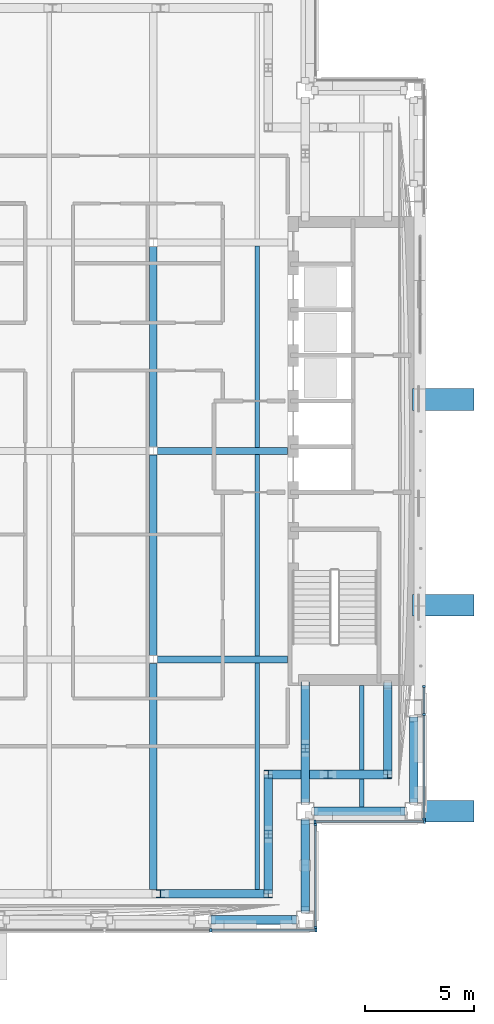
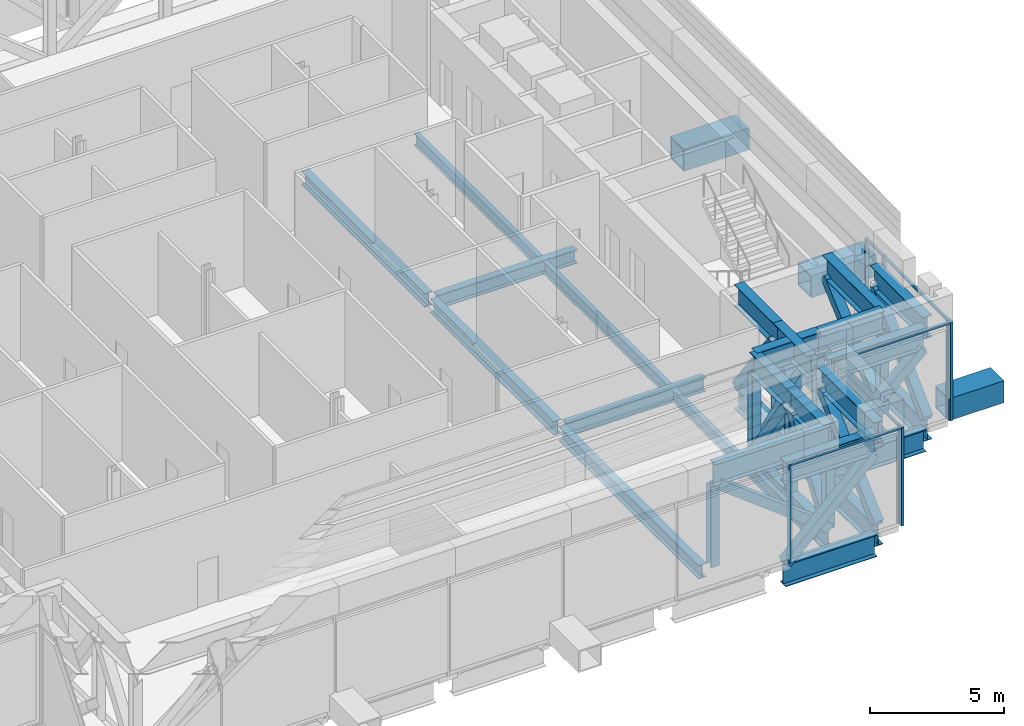
# One storey, part 6 of 29: 55 members, 13 beams, 4 elements without a shape of their own.
"""IFC4 building model written with IfcOpenShell, lengths in metres."""

import ifcopenshell
import ifcopenshell.guid

model = None  # the IFC model being written
_history = None  # IfcOwnerHistory: only IFC2X3 demands one
_inside = {}  # id of a spatial element -> (the spatial element, [elements in it])
_under = {}  # id of a project, library or spatial element -> (it, [spatial elements below it])
_declared = {}  # id of a project -> (the project, [libraries it declares])
_typed = {}  # id of a type object -> (the type object, [elements of that type])
_made_of = {}  # id of a material, layer set ... -> (it, [elements and type objects made of it])


def new_model(schema):
    """Start an empty IFC model of exactly this schema.

    Asked for "IFC4X3", IfcOpenShell would pick the latest addendum, in which some entities
    have other attributes; the version numbers below select the first issue.
    IFC2X3 requires an IfcOwnerHistory on every rooted entity: one is made here for all.
    """
    global model, _history
    if schema == "IFC4X3":
        model = ifcopenshell.file(schema_version=(4, 3, 0, 0))
    else:
        model = ifcopenshell.file(schema=schema)
    _inside.clear()
    _under.clear()
    _declared.clear()
    _typed.clear()
    _made_of.clear()
    _history = None
    if model.schema == "IFC2X3":
        org = make("IfcOrganization", Name="unknown")
        user = make(
            "IfcPersonAndOrganization",
            ThePerson=make("IfcPerson", FamilyName="unknown"),
            TheOrganization=org,
        )
        app = make(
            "IfcApplication",
            ApplicationDeveloper=org,
            Version="unknown",
            ApplicationFullName="unknown",
            ApplicationIdentifier="unknown",
        )
        _history = make(
            "IfcOwnerHistory",
            OwningUser=user,
            OwningApplication=app,
            ChangeAction="ADDED",
            CreationDate=0,
        )
    return model


def make(cls, **values):
    """One entity of the class cls with the attributes given. An attribute that is None is left unset."""
    return model.create_entity(
        cls, **{name: value for name, value in values.items() if value is not None}
    )


def rooted(cls, **values):
    """An entity with a GlobalId (a new one), such as an element, a storey or a relation."""
    return make(cls, GlobalId=ifcopenshell.guid.new(), OwnerHistory=_history, **values)


def si_unit(unit_type, name, prefix=None):
    """IfcSIUnit, for example si_unit("LENGTHUNIT", "METRE", prefix="MILLI")."""
    return make("IfcSIUnit", UnitType=unit_type, Prefix=prefix, Name=name)


def assignment(units):
    """IfcUnitAssignment: the units of a project."""
    return None if units is None else make("IfcUnitAssignment", Units=units)


def point(xyz):
    """IfcCartesianPoint."""
    return None if xyz is None else make("IfcCartesianPoint", Coordinates=xyz)


def direction(xyz):
    """IfcDirection."""
    return None if xyz is None else make("IfcDirection", DirectionRatios=xyz)


def frame(location, z_axis=None, x_axis=None):
    """IfcAxis2Placement3D, a coordinate frame: its origin and axes. An axis left out is left unset."""
    return make(
        "IfcAxis2Placement3D",
        Location=point(location),
        Axis=direction(z_axis),
        RefDirection=direction(x_axis),
    )


def frame_2d(location, x_axis=None):
    """IfcAxis2Placement2D, a coordinate frame in the plane: its origin and x axis."""
    return make(
        "IfcAxis2Placement2D", Location=point(location), RefDirection=direction(x_axis)
    )


def origin():
    """The frame at (0, 0, 0) with its axes left unset."""
    return frame((0.0, 0.0, 0.0))


def origin_2d():
    """The frame at (0, 0) in the plane with its x axis left unset."""
    return frame_2d((0.0, 0.0))


def place(relative_to, where):
    """IfcLocalPlacement: puts the frame where relative to a parent placement (None: the world)."""
    return make(
        "IfcLocalPlacement", PlacementRelTo=relative_to, RelativePlacement=where
    )


def context(
    kind, dimensions, precision=None, world=None, true_north=None, identifier=None
):
    """IfcGeometricRepresentationContext, for example the 3D "Model" context."""
    return make(
        "IfcGeometricRepresentationContext",
        ContextIdentifier=identifier,
        ContextType=kind,
        CoordinateSpaceDimension=dimensions,
        Precision=precision,
        WorldCoordinateSystem=world,
        TrueNorth=true_north,
    )


def subcontext(parent, identifier, kind, view, scale=None):
    """IfcGeometricRepresentationSubContext, for example "Body" below "Model"."""
    return make(
        "IfcGeometricRepresentationSubContext",
        ContextIdentifier=identifier,
        ContextType=kind,
        ParentContext=parent,
        TargetScale=scale,
        TargetView=view,
    )


def project(units=None, contexts=None):
    """IfcProject with its units and contexts."""
    return rooted(
        "IfcProject",
        Name="project",
        RepresentationContexts=contexts,
        UnitsInContext=assignment(units),
    )


def spatial(cls, under=None, at=None, **own):
    """A site, building, storey or space (cls), placed at a placement, below another one or the project."""
    s = rooted(cls, ObjectPlacement=at, **own)
    if under is not None:
        _under.setdefault(under.id(), (under, []))[1].append(s)
    return s


def profile(cls, at=None, kind="AREA", **sizes):
    """A parametric profile (cls). Its sizes go by their IFC names, for example OverallWidth=200.0."""
    return make(cls, ProfileType=kind, Position=at, **sizes)


def rectangle(**sizes):
    """IfcRectangleProfileDef."""
    return profile("IfcRectangleProfileDef", **sizes)


def hollow_rectangle(**sizes):
    """IfcRectangleHollowProfileDef."""
    return profile("IfcRectangleHollowProfileDef", **sizes)


def i_section(**sizes):
    """IfcIShapeProfileDef."""
    return profile("IfcIShapeProfileDef", **sizes)


def extrude(swept, where, along, depth):
    """IfcExtrudedAreaSolid: the profile swept, set in the frame where, extruded along a direction by depth."""
    return make(
        "IfcExtrudedAreaSolid",
        SweptArea=swept,
        Position=where,
        ExtrudedDirection=direction(along),
        Depth=depth,
    )


def shape(context_of_items, identifier, shape_type, items):
    """IfcShapeRepresentation: the items that make up one representation, for example the "Body"."""
    return make(
        "IfcShapeRepresentation",
        ContextOfItems=context_of_items,
        RepresentationIdentifier=identifier,
        RepresentationType=shape_type,
        Items=items,
    )


def material(Name=None, Category=None):
    """IfcMaterial."""
    return make("IfcMaterial", Name=Name, Category=Category)


def material_profile(
    of_material, cross_section, Name=None, Category=None, Priority=None
):
    """IfcMaterialProfile: a cross section and its material."""
    return make(
        "IfcMaterialProfile",
        Name=Name,
        Material=of_material,
        Profile=cross_section,
        Priority=Priority,
        Category=Category,
    )


def profile_set(profiles, Name=None, composite=None):
    """IfcMaterialProfileSet."""
    return make(
        "IfcMaterialProfileSet",
        Name=Name,
        MaterialProfiles=profiles,
        CompositeProfile=composite,
    )


def made_of(thing, what):
    """Note that an element or type object is made of a material, layer set ...; save() writes the relation."""
    if what is not None:
        _made_of.setdefault(what.id(), (what, []))[1].append(thing)
    return thing


def type_object(cls, material=None, **own):
    """A type object (cls), such as IfcWallType, which elements share."""
    return made_of(rooted(cls, **own), material)


def element(
    cls,
    number,
    at=None,
    inside=None,
    cuts=None,
    type_object=None,
    material=None,
    context=None,
    identifier="Body",
    shape_type=None,
    held_by="IfcProductDefinitionShape",
    body=None,
    shapes=None,
    **own,
):
    """One element of the class cls, such as IfcWall. Its Tag is "e" and its number.

    at: its placement. inside: the storey or other place that contains it. cuts: it is an
    opening in that element (IfcRelVoidsElement). A single representation is given by context,
    identifier, shape_type and body (its items); several are given by shapes. held_by: the class
    of the entity that holds the representations. save() writes the other relations.
    """
    e = rooted(cls, Tag="e%d" % number, ObjectPlacement=at, **own)
    if body is not None:
        shapes = [shape(context, identifier, shape_type, body)]
    if shapes is not None:
        e.Representation = make(held_by, Representations=shapes)
    if inside is not None:
        _inside.setdefault(inside.id(), (inside, []))[1].append(e)
    if cuts is not None:
        rooted(
            "IfcRelVoidsElement", RelatingBuildingElement=cuts, RelatedOpeningElement=e
        )
    if type_object is not None:
        _typed.setdefault(type_object.id(), (type_object, []))[1].append(e)
    return made_of(e, material)


def aggregate(whole, parts):
    """IfcRelAggregates: a whole, such as a stair, and the parts it consists of."""
    return rooted("IfcRelAggregates", RelatingObject=whole, RelatedObjects=parts)


def save(model, path):
    """Write the relations noted so far, then the file.

    IfcRelAggregates (storeys below a building ...), IfcRelContainedInSpatialStructure (elements
    in a storey), IfcRelDefinesByType, IfcRelAssociatesMaterial and IfcRelDeclares: one each for
    every whole, place, type object, material and project.
    """
    for whole, parts in _under.values():
        aggregate(whole, parts)
    for where, things in _inside.values():
        rooted(
            "IfcRelContainedInSpatialStructure",
            RelatedElements=things,
            RelatingStructure=where,
        )
    for kind, things in _typed.values():
        rooted("IfcRelDefinesByType", RelatedObjects=things, RelatingType=kind)
    for what, things in _made_of.values():
        rooted("IfcRelAssociatesMaterial", RelatedObjects=things, RelatingMaterial=what)
    for by, libraries in _declared.values():
        rooted("IfcRelDeclares", RelatingContext=by, RelatedDefinitions=libraries)
    model.write(path)


model = new_model("IFC4")

# Units and contexts
model_context = context("Model", 3, precision=1e-05, world=origin(), true_north=direction((0.0, 1.0)))
body_context = subcontext(model_context, "Body", "Model", "MODEL_VIEW")
ifc_project = project(units=[si_unit("LENGTHUNIT", "METRE"), si_unit("AREAUNIT", "SQUARE_METRE"), si_unit("VOLUMEUNIT", "CUBIC_METRE"), si_unit("PLANEANGLEUNIT", "RADIAN"), si_unit("MASSUNIT", "GRAM", prefix="KILO")], contexts=[model_context])

# Site, building, storey
site_placement = place(None, origin())
site = spatial("IfcSite", under=ifc_project, at=site_placement, CompositionType="ELEMENT")
building_placement = place(site_placement, origin())
building = spatial("IfcBuilding", under=site, at=building_placement, Name="Cobrizo Arcos Hotel Tower", CompositionType="ELEMENT")
storey_placement = place(building_placement, frame((0.0, 0.0, 186.5)))
storey = spatial("IfcBuildingStorey", under=building, at=storey_placement, Name="L48", CompositionType="ELEMENT", Elevation=186.5)

# Beams
ifc_material_1 = material(Name="Steel ASTM A572 Grade 50", Category="steel")
ifc_material_profile_1 = material_profile(ifc_material_1, hollow_rectangle(XDim=1.0, YDim=1.0, WallThickness=0.06005859375, at=origin_2d()), Name="BOX 1000X1000X60")
ifc_profile_set_1 = profile_set([ifc_material_profile_1], Name="Steel ASTM A572 Grade 50")
beam_type_1 = type_object("IfcBeamType", Name="BOX 1000X1000X60 brace connector strut", PredefinedType="BEAM", material=ifc_profile_set_1)
for number, where, z_axis, x_axis, name in (
    (1, (21.550048828125, -7.1142578125, 0.5), (1.0, 0.0, 0.0), (0.0, 1.0, 0.0), "Perimeter brace stub BS1, zone Z3, east face, offset -7.11 m, L48"),
    (2, (21.550048828125, 2.371337890625, 0.5), (1.0, 0.0, 0.0), (0.0, 1.0, 0.0), "Perimeter brace stub BS1, zone Z3, east face, offset +2.37 m, L48"),
):
    element("IfcBeam", number, at=place(storey_placement, frame(where, z_axis=z_axis, x_axis=x_axis)), inside=storey, type_object=beam_type_1, Name=name, PredefinedType="BEAM", context=body_context, shape_type="SweptSolid", body=[
        extrude(hollow_rectangle(XDim=1.0, YDim=1.0, WallThickness=0.06005859375, at=origin_2d()), origin(), (0.0, 0.0, 1.0), 2.820068359375),
    ])
beam_1_placement = place(storey_placement, frame((21.989990234375, -16.60009765625, 0.5), z_axis=(1.0, 0.0, 0.0), x_axis=(0.0, 1.0, 0.0)))
element("IfcBeam", 3, at=beam_1_placement, inside=storey, type_object=beam_type_1, Name="Perimeter brace stub BS1, zone Z3, east face, offset -16.60 m, L48", PredefinedType="BEAM", context=body_context, shape_type="SweptSolid", body=[
    extrude(hollow_rectangle(XDim=1.0, YDim=1.0, WallThickness=0.06005859375, at=origin_2d()), origin(), (0.0, 0.0, 1.0), 2.380126953125),
])

# Curtain wall, members
ifc_material_2 = material(Name="Aluminium 6063-T6 anodised bronze", Category="aluminium")
curtain_wall_type = type_object("IfcCurtainWallType", Name="CW-D plant louvre wall", PredefinedType="NOTDEFINED", material=ifc_material_2)
curtain_wall_1_placement = place(storey_placement, origin())
curtain_wall_1 = element("IfcCurtainWall", 4, at=curtain_wall_1_placement, inside=storey, type_object=curtain_wall_type, Name="CW-D L48 S face", PredefinedType="NOTDEFINED")
ifc_material_profile_2 = material_profile(ifc_material_2, rectangle(XDim=0.14990234375, YDim=0.10009765625, at=origin_2d()), Name="CW-D mullion 150x100")
ifc_profile_set_2 = profile_set([ifc_material_profile_2], Name="Aluminium 6063-T6 anodised bronze")
member_type_1 = type_object("IfcMemberType", Name="CW-D mullion 150x100", PredefinedType="MULLION", material=ifc_profile_set_2)
member_1_placement = place(storey_placement, frame((12.25, -22.074951171875, 0.0), z_axis=(0.0, 0.0, 1.0), x_axis=(0.0, -1.0, 0.0)))
member_1 = element("IfcMember", 5, at=member_1_placement, type_object=member_type_1, Name="CW-D mullion 7", PredefinedType="MULLION", context=body_context, shape_type="SweptSolid", body=[
    extrude(rectangle(XDim=0.14990234375, YDim=0.10009765625, at=origin_2d()), origin(), (0.0, 0.0, 1.0), 4.5),
])
member_2_placement = place(storey_placement, frame((17.10009765625, -22.074951171875, 0.0), z_axis=(0.0, 0.0, 1.0), x_axis=(0.0, -1.0, 0.0)))
member_2 = element("IfcMember", 6, at=member_2_placement, type_object=member_type_1, Name="CW-D mullion 8", PredefinedType="MULLION", context=body_context, shape_type="SweptSolid", body=[
    extrude(rectangle(XDim=0.14990234375, YDim=0.10009765625, at=origin_2d()), origin(), (0.0, 0.0, 1.0), 4.5),
])

curtain_wall_2_placement = place(storey_placement, origin())
curtain_wall_2 = element("IfcCurtainWall", 7, at=curtain_wall_2_placement, inside=storey, type_object=curtain_wall_type, Name="CW-D L48 E face", PredefinedType="NOTDEFINED")
member_3_placement = place(storey_placement, frame((17.074951171875, -21.949951171875, 0.0), z_axis=(0.0, 0.0, 1.0), x_axis=(1.0, 0.0, 0.0)))
member_3 = element("IfcMember", 8, at=member_3_placement, type_object=member_type_1, Name="CW-D mullion 1", PredefinedType="MULLION", context=body_context, shape_type="SweptSolid", body=[
    extrude(rectangle(XDim=0.14990234375, YDim=0.10009765625, at=origin_2d()), origin(), (0.0, 0.0, 1.0), 4.5),
])
member_4_placement = place(storey_placement, frame((17.074951171875, -17.199951171875, 0.0), z_axis=(0.0, 0.0, 1.0), x_axis=(1.0, 0.0, 0.0)))
member_4 = element("IfcMember", 9, at=member_4_placement, type_object=member_type_1, Name="CW-D mullion 2", PredefinedType="MULLION", context=body_context, shape_type="SweptSolid", body=[
    extrude(rectangle(XDim=0.14990234375, YDim=0.10009765625, at=origin_2d()), origin(), (0.0, 0.0, 1.0), 4.5),
])

curtain_wall_3_placement = place(storey_placement, origin())
curtain_wall_3 = element("IfcCurtainWall", 10, at=curtain_wall_3_placement, inside=storey, type_object=curtain_wall_type, Name="CW-D L48 S face", PredefinedType="NOTDEFINED")
member_5_placement = place(storey_placement, frame((17.050048828125, -17.074951171875, 0.0), z_axis=(0.0, 0.0, 1.0), x_axis=(0.0, -1.0, 0.0)))
member_5 = element("IfcMember", 11, at=member_5_placement, type_object=member_type_1, Name="CW-D mullion 1", PredefinedType="MULLION", context=body_context, shape_type="SweptSolid", body=[
    extrude(rectangle(XDim=0.14990234375, YDim=0.10009765625, at=origin_2d()), origin(), (0.0, 0.0, 1.0), 4.5),
])
member_6_placement = place(storey_placement, frame((22.10009765625, -17.074951171875, 0.0), z_axis=(0.0, 0.0, 1.0), x_axis=(0.0, -1.0, 0.0)))
member_6 = element("IfcMember", 12, at=member_6_placement, type_object=member_type_1, Name="CW-D mullion 2", PredefinedType="MULLION", context=body_context, shape_type="SweptSolid", body=[
    extrude(rectangle(XDim=0.14990234375, YDim=0.10009765625, at=origin_2d()), origin(), (0.0, 0.0, 1.0), 4.5),
])

curtain_wall_4_placement = place(storey_placement, origin())
curtain_wall_4 = element("IfcCurtainWall", 13, at=curtain_wall_4_placement, inside=storey, type_object=curtain_wall_type, Name="CW-D L48 E face", PredefinedType="NOTDEFINED")
member_7_placement = place(storey_placement, frame((22.074951171875, -16.949951171875, 0.0), z_axis=(0.0, 0.0, 1.0), x_axis=(1.0, 0.0, 0.0)))
member_7 = element("IfcMember", 14, at=member_7_placement, type_object=member_type_1, Name="CW-D mullion 1", PredefinedType="MULLION", context=body_context, shape_type="SweptSolid", body=[
    extrude(rectangle(XDim=0.14990234375, YDim=0.10009765625, at=origin_2d()), origin(), (0.0, 0.0, 1.0), 4.5),
])
member_8_placement = place(storey_placement, frame((22.074951171875, -12.142822265625, 0.0), z_axis=(0.0, 0.0, 1.0), x_axis=(1.0, 0.0, 0.0)))
member_8 = element("IfcMember", 15, at=member_8_placement, type_object=member_type_1, Name="CW-D mullion 2", PredefinedType="MULLION", context=body_context, shape_type="SweptSolid", body=[
    extrude(rectangle(XDim=0.14990234375, YDim=0.10009765625, at=origin_2d()), origin(), (0.0, 0.0, 1.0), 4.5),
])
member_9_placement = place(storey_placement, frame((22.074951171875, -10.85009765625, 0.0), z_axis=(0.0, 0.0, 1.0), x_axis=(1.0, 0.0, 0.0)))
member_9 = element("IfcMember", 16, at=member_9_placement, type_object=member_type_1, Name="CW-D mullion 3", PredefinedType="MULLION", context=body_context, shape_type="SweptSolid", body=[
    extrude(rectangle(XDim=0.14990234375, YDim=0.10009765625, at=origin_2d()), origin(), (0.0, 0.0, 1.0), 4.5),
])

# Member
ifc_material_profile_3 = material_profile(ifc_material_2, rectangle(XDim=0.10009765625, YDim=0.10009765625, at=origin_2d()), Name="CW-D transom 100x100")
ifc_profile_set_3 = profile_set([ifc_material_profile_3], Name="Aluminium 6063-T6 anodised bronze")
member_type_2 = type_object("IfcMemberType", Name="CW-D transom 100x100", PredefinedType="USERDEFINED", material=ifc_profile_set_3)
member_10_placement = place(storey_placement, frame((12.300048828125, -22.074951171875, 4.449951171875), z_axis=(1.0, 0.0, 0.0), x_axis=(0.0, 1.0, 0.0)))
member_10 = element("IfcMember", 17, at=member_10_placement, type_object=member_type_2, Name="CW-D transom 1672", ObjectType="TRANSOM", PredefinedType="USERDEFINED", context=body_context, shape_type="SweptSolid", body=[
    extrude(rectangle(XDim=0.10009765625, YDim=0.10009765625, at=origin_2d()), origin(), (0.0, 0.0, 1.0), 4.75),
])

aggregate(curtain_wall_1, [member_1, member_2, member_10])

member_11_placement = place(storey_placement, frame((17.074951171875, -21.89990234375, 4.449951171875), z_axis=(0.0, 1.0, 0.0), x_axis=(-1.0, 0.0, 0.0)))
member_11 = element("IfcMember", 18, at=member_11_placement, type_object=member_type_2, Name="CW-D transom 1673", ObjectType="TRANSOM", PredefinedType="USERDEFINED", context=body_context, shape_type="SweptSolid", body=[
    extrude(rectangle(XDim=0.10009765625, YDim=0.10009765625, at=origin_2d()), origin(), (0.0, 0.0, 1.0), 4.64990234375),
])

aggregate(curtain_wall_2, [member_3, member_4, member_11])

member_12_placement = place(storey_placement, frame((17.10009765625, -17.074951171875, 4.449951171875), z_axis=(1.0, 0.0, 0.0), x_axis=(0.0, 1.0, 0.0)))
member_12 = element("IfcMember", 19, at=member_12_placement, type_object=member_type_2, Name="CW-D transom 1674", ObjectType="TRANSOM", PredefinedType="USERDEFINED", context=body_context, shape_type="SweptSolid", body=[
    extrude(rectangle(XDim=0.10009765625, YDim=0.10009765625, at=origin_2d()), origin(), (0.0, 0.0, 1.0), 4.949951171875),
])

aggregate(curtain_wall_3, [member_5, member_6, member_12])

member_13_placement = place(storey_placement, frame((22.074951171875, -16.89990234375, 4.449951171875), z_axis=(0.0, 1.0, 0.0), x_axis=(-1.0, 0.0, 0.0)))
member_13 = element("IfcMember", 20, at=member_13_placement, type_object=member_type_2, Name="CW-D transom 1675", ObjectType="TRANSOM", PredefinedType="USERDEFINED", context=body_context, shape_type="SweptSolid", body=[
    extrude(rectangle(XDim=0.10009765625, YDim=0.10009765625, at=origin_2d()), origin(), (0.0, 0.0, 1.0), 4.70703125),
])

member_14_placement = place(storey_placement, frame((22.074951171875, -12.0927734375, 4.449951171875), z_axis=(0.0, 1.0, 0.0), x_axis=(-1.0, 0.0, 0.0)))
member_14 = element("IfcMember", 21, at=member_14_placement, type_object=member_type_2, Name="CW-D transom 1676", ObjectType="TRANSOM", PredefinedType="USERDEFINED", context=body_context, shape_type="SweptSolid", body=[
    extrude(rectangle(XDim=0.10009765625, YDim=0.10009765625, at=origin_2d()), origin(), (0.0, 0.0, 1.0), 1.19287109375),
])

aggregate(curtain_wall_4, [member_7, member_8, member_9, member_13, member_14])

# Members
ifc_material_3 = material(Name="Steel ASTM A500 Grade C", Category="steel")
ifc_material_profile_4 = material_profile(ifc_material_3, hollow_rectangle(XDim=0.406494140625, YDim=0.406494140625, WallThickness=0.014892578125, at=origin_2d()), Name="HSS16X16X5/8")
ifc_profile_set_4 = profile_set([ifc_material_profile_4], Name="Steel ASTM A500 Grade C")
member_type_3 = type_object("IfcMemberType", Name="HSS16X16X5/8 truss diagonal", PredefinedType="BRACE", material=ifc_profile_set_4)
member_15_placement = place(storey_placement, frame((12.3369140625, -21.60009765625, -0.300048828125), z_axis=(0.71876736936, 0.0, 0.695250651739), x_axis=(0.0, 1.0, 0.0)))
element("IfcMember", 22, at=member_15_placement, inside=storey, type_object=member_type_3, Name="Belt truss diagonal TD1, L48, no. 007", PredefinedType="BRACE", context=body_context, shape_type="SweptSolid", body=[
    extrude(hollow_rectangle(XDim=0.406494140625, YDim=0.406494140625, WallThickness=0.014892578125, at=origin_2d()), origin(), (0.0, 0.0, 1.0), 5.263427734375),
])
for number, where, z_axis, x_axis, name in (
    (23, (16.60009765625, -21.1201171875, -0.300048828125), (0.0, 0.7411568591, 0.671331892739), (-1.0, 0.0, 0.0), "Belt truss diagonal TD1, L48, no. 008"),
    (24, (17.080078125, -16.60009765625, -0.300048828125), (0.7411568591, 0.0, 0.671331892739), (0.0, 1.0, 0.0), "Belt truss diagonal TD1, L48, no. 009"),
):
    element("IfcMember", number, at=place(storey_placement, frame(where, z_axis=z_axis, x_axis=x_axis)), inside=storey, type_object=member_type_3, Name=name, PredefinedType="BRACE", context=body_context, shape_type="SweptSolid", body=[
        extrude(hollow_rectangle(XDim=0.406494140625, YDim=0.406494140625, WallThickness=0.014892578125, at=origin_2d()), origin(), (0.0, 0.0, 1.0), 5.450927734375),
    ])
member_16_placement = place(storey_placement, frame((21.60009765625, -16.1201171875, -0.300048828125), z_axis=(0.0, 0.71876736936, 0.695250651739), x_axis=(-1.0, 0.0, 0.0)))
element("IfcMember", 25, at=member_16_placement, inside=storey, type_object=member_type_3, Name="Belt truss diagonal TD1, L48, no. 010", PredefinedType="BRACE", context=body_context, shape_type="SweptSolid", body=[
    extrude(hollow_rectangle(XDim=0.406494140625, YDim=0.406494140625, WallThickness=0.014892578125, at=origin_2d()), origin(), (0.0, 0.0, 1.0), 5.263427734375),
])
member_17_placement = place(storey_placement, frame((10.133056640625, -20.39990234375, 3.359375), z_axis=(0.793217141697, 0.0, -0.608938885372), x_axis=(0.0, 1.0, 0.0)))
element("IfcMember", 26, at=member_17_placement, inside=storey, type_object=member_type_3, Name="Belt truss diagonal TD1, L48, no. 032", PredefinedType="BRACE", context=body_context, shape_type="SweptSolid", body=[
    extrude(hollow_rectangle(XDim=0.406494140625, YDim=0.406494140625, WallThickness=0.014892578125, at=origin_2d()), origin(), (0.0, 0.0, 1.0), 6.009521484375),
])
for number, where, z_axis, x_axis, name in (
    (27, (14.89990234375, -20.39990234375, -0.300048828125), (0.0, 0.571686597263, 0.820472080274), (-1.0, 0.0, 0.0), "Belt truss diagonal TD1, L48, no. 033"),
    (28, (14.89990234375, -17.449951171875, 3.359375), (0.0, 0.571723443945, -0.820446405102), (-1.0, 0.0, 0.0), "Belt truss diagonal TD1, L48, no. 034"),
    (29, (14.89990234375, -14.89990234375, -0.300048828125), (0.571723443945, 0.0, 0.820446405102), (0.0, 1.0, 0.0), "Belt truss diagonal TD1, L48, no. 035"),
    (30, (17.85009765625, -14.89990234375, 3.359375), (0.571686597263, 0.0, -0.820472080274), (0.0, 1.0, 0.0), "Belt truss diagonal TD1, L48, no. 036"),
):
    element("IfcMember", number, at=place(storey_placement, frame(where, z_axis=z_axis, x_axis=x_axis)), inside=storey, type_object=member_type_3, Name=name, PredefinedType="BRACE", context=body_context, shape_type="SweptSolid", body=[
        extrude(hollow_rectangle(XDim=0.406494140625, YDim=0.406494140625, WallThickness=0.014892578125, at=origin_2d()), origin(), (0.0, 0.0, 1.0), 4.460205078125),
    ])
member_18_placement = place(storey_placement, frame((20.39990234375, -14.89990234375, -0.300048828125), z_axis=(0.0, 0.745963676774, 0.665986631197), x_axis=(-1.0, 0.0, 0.0)))
element("IfcMember", 31, at=member_18_placement, inside=storey, type_object=member_type_3, Name="Belt truss diagonal TD1, L48, no. 037", PredefinedType="BRACE", context=body_context, shape_type="SweptSolid", body=[
    extrude(hollow_rectangle(XDim=0.406494140625, YDim=0.406494140625, WallThickness=0.014892578125, at=origin_2d()), origin(), (0.0, 0.0, 1.0), 5.49462890625),
])
member_19_placement = place(storey_placement, frame((16.60009765625, -10.800048828125, -0.300048828125), z_axis=(0.0, -0.593702520148, 0.804684607514), x_axis=(1.0, 0.0, 0.0)))
element("IfcMember", 32, at=member_19_placement, inside=storey, type_object=member_type_3, Name="Outrigger diagonal TD1, L48, no. 001", PredefinedType="BRACE", context=body_context, shape_type="SweptSolid", body=[
    extrude(hollow_rectangle(XDim=0.406494140625, YDim=0.406494140625, WallThickness=0.014892578125, at=origin_2d()), origin(), (0.0, 0.0, 1.0), 4.547607421875),
])
member_20_placement = place(storey_placement, frame((16.60009765625, -13.89990234375, 3.359375), z_axis=(0.0, -0.518708703579, -0.85495104002), x_axis=(1.0, 0.0, 0.0)))
element("IfcMember", 33, at=member_20_placement, inside=storey, type_object=member_type_3, Name="Outrigger diagonal TD1, L48, no. 002", PredefinedType="BRACE", context=body_context, shape_type="SweptSolid", body=[
    extrude(hollow_rectangle(XDim=0.406494140625, YDim=0.406494140625, WallThickness=0.014892578125, at=origin_2d()), origin(), (0.0, 0.0, 1.0), 4.2802734375),
])
member_21_placement = place(storey_placement, frame((16.60009765625, -17.080078125, -0.300048828125), z_axis=(0.0, -0.741125315388, 0.671366715657), x_axis=(1.0, 0.0, 0.0)))
element("IfcMember", 34, at=member_21_placement, inside=storey, type_object=member_type_3, Name="Outrigger diagonal TD1, L48, no. 003", PredefinedType="BRACE", context=body_context, shape_type="SweptSolid", body=[
    extrude(hollow_rectangle(XDim=0.406494140625, YDim=0.406494140625, WallThickness=0.014892578125, at=origin_2d()), origin(), (0.0, 0.0, 1.0), 2.55126953125),
])
member_22_placement = place(storey_placement, frame((16.60009765625, -19.22900390625, 1.646484375), z_axis=(0.0, -0.741168441831, 0.671319105072), x_axis=(1.0, 0.0, 0.0)))
element("IfcMember", 35, at=member_22_placement, inside=storey, type_object=member_type_3, Name="Outrigger diagonal TD1, L48, no. 003b", PredefinedType="BRACE", context=body_context, shape_type="SweptSolid", body=[
    extrude(hollow_rectangle(XDim=0.406494140625, YDim=0.406494140625, WallThickness=0.014892578125, at=origin_2d()), origin(), (0.0, 0.0, 1.0), 2.551513671875),
])
ifc_material_4 = material(Name="Steel ASTM A992 Grade 50", Category="steel")
ifc_material_profile_5 = material_profile(ifc_material_4, i_section(OverallWidth=0.373291015625, OverallDepth=0.373291015625, WebThickness=0.016357421875, FlangeThickness=0.026123046875, at=origin_2d()), Name="W14X132")
ifc_profile_set_5 = profile_set([ifc_material_profile_5], Name="Steel ASTM A992 Grade 50")
member_type_4 = type_object("IfcMemberType", Name="W14X132 truss post", PredefinedType="POST", material=ifc_profile_set_5)
for number, where, z_axis, x_axis, name in (
    (36, (9.93310546875, -20.39990234375, -0.300048828125), (0.0, 0.0, 1.0), (1.0, 0.0, 0.0), "Truss post TP1, L48, no. 006"),
    (37, (14.89990234375, -20.39990234375, -0.300048828125), (0.0, 0.0, 1.0), (1.0, 0.0, 0.0), "Truss post TP1, L48, no. 007"),
    (38, (14.89990234375, -17.64990234375, -0.300048828125), (0.0, 0.0, 1.0), (1.0, 0.0, 0.0), "Truss post TP1, L48, no. 008"),
    (39, (14.89990234375, -14.89990234375, -0.300048828125), (0.0, 0.0, 1.0), (1.0, 0.0, 0.0), "Truss post TP1, L48, no. 009"),
    (40, (17.64990234375, -14.89990234375, -0.300048828125), (0.0, 0.0, 1.0), (1.0, 0.0, 0.0), "Truss post TP1, L48, no. 010"),
    (41, (20.39990234375, -14.89990234375, -0.300048828125), (0.0, 0.0, 1.0), (1.0, 0.0, 0.0), "Truss post TP1, L48, no. 011"),
    (42, (16.60009765625, -13.699951171875, -0.300048828125), (0.0, 0.0, 1.0), (1.0, 0.0, 0.0), "Truss post TP1, L48, no. 031"),
):
    element("IfcMember", number, at=place(storey_placement, frame(where, z_axis=z_axis, x_axis=x_axis)), inside=storey, type_object=member_type_4, Name=name, PredefinedType="POST", context=body_context, shape_type="SweptSolid", body=[
        extrude(i_section(OverallWidth=0.373291015625, OverallDepth=0.373291015625, WebThickness=0.016357421875, FlangeThickness=0.026123046875, at=origin_2d()), origin(), (0.0, 0.0, 1.0), 3.659423828125),
    ])

# Beams
ifc_material_profile_6 = material_profile(ifc_material_4, i_section(OverallWidth=0.209228515625, OverallDepth=0.533447265625, WebThickness=0.01025390625, FlangeThickness=0.015625, at=origin_2d()), Name="W21X62")
ifc_profile_set_6 = profile_set([ifc_material_profile_6], Name="Steel ASTM A992 Grade 50")
beam_type_2 = type_object("IfcBeamType", Name="W21X62 joist", PredefinedType="JOIST", material=ifc_profile_set_6)
beam_2_placement = place(storey_placement, frame((14.39990234375, -20.199462890625, -0.566650390625), z_axis=(0.0, 1.0, 0.0), x_axis=(-1.0, 0.0, 0.0)))
element("IfcBeam", 43, at=beam_2_placement, inside=storey, type_object=beam_type_2, Name="Floor joist J1, L48, no. 017", PredefinedType="JOIST", context=body_context, shape_type="SweptSolid", body=[
    extrude(i_section(OverallWidth=0.209228515625, OverallDepth=0.533447265625, WebThickness=0.01025390625, FlangeThickness=0.015625, at=origin_2d()), origin(), (0.0, 0.0, 1.0), 10.435546875),
])
for number, where, z_axis, x_axis, name in (
    (44, (14.39990234375, -9.43603515625, -0.566650390625), (0.0, 1.0, 0.0), (-1.0, 0.0, 0.0), "Floor joist J1, L48, no. 018"),
    (45, (14.39990234375, 0.163818359375, -0.566650390625), (0.0, 1.0, 0.0), (-1.0, 0.0, 0.0), "Floor joist J1, L48, no. 019"),
):
    element("IfcBeam", number, at=place(storey_placement, frame(where, z_axis=z_axis, x_axis=x_axis)), inside=storey, type_object=beam_type_2, Name=name, PredefinedType="JOIST", context=body_context, shape_type="SweptSolid", body=[
        extrude(i_section(OverallWidth=0.209228515625, OverallDepth=0.533447265625, WebThickness=0.01025390625, FlangeThickness=0.015625, at=origin_2d()), origin(), (0.0, 0.0, 1.0), 9.272216796875),
    ])
beam_3_placement = place(storey_placement, frame((19.199951171875, -16.3994140625, -0.566650390625), z_axis=(0.0, 1.0, 0.0), x_axis=(-1.0, 0.0, 0.0)))
element("IfcBeam", 46, at=beam_3_placement, inside=storey, type_object=beam_type_2, Name="Floor joist J1, L48, no. 021", PredefinedType="JOIST", context=body_context, shape_type="SweptSolid", body=[
    extrude(i_section(OverallWidth=0.209228515625, OverallDepth=0.533447265625, WebThickness=0.01025390625, FlangeThickness=0.015625, at=origin_2d()), origin(), (0.0, 0.0, 1.0), 1.298828125),
])
beam_4_placement = place(storey_placement, frame((19.199951171875, -14.699462890625, -0.566650390625), z_axis=(0.0, 1.0, 0.0), x_axis=(-1.0, 0.0, 0.0)))
element("IfcBeam", 47, at=beam_4_placement, inside=storey, type_object=beam_type_2, Name="Floor joist J1, L48, no. 022", PredefinedType="JOIST", context=body_context, shape_type="SweptSolid", body=[
    extrude(i_section(OverallWidth=0.209228515625, OverallDepth=0.533447265625, WebThickness=0.01025390625, FlangeThickness=0.015625, at=origin_2d()), origin(), (0.0, 0.0, 1.0), 3.889404296875),
])
ifc_material_profile_7 = material_profile(ifc_material_4, i_section(OverallWidth=0.32763671875, OverallDepth=0.622314453125, WebThickness=0.015380859375, FlangeThickness=0.0244140625, at=origin_2d()), Name="W24X131")
ifc_profile_set_7 = profile_set([ifc_material_profile_7], Name="Steel ASTM A992 Grade 50")
beam_type_3 = type_object("IfcBeamType", Name="W24X131 girder", PredefinedType="BEAM", material=ifc_profile_set_7)
for number, where, z_axis, x_axis, name in (
    (48, (9.78662109375, -9.60009765625, -0.611083984375), (1.0, 0.0, 0.0), (0.0, 1.0, 0.0), "Floor girder G1, L48, no. 004"),
    (49, (9.78662109375, 0.0, -0.611083984375), (1.0, 0.0, 0.0), (0.0, 1.0, 0.0), "Floor girder G1, L48, no. 008"),
):
    element("IfcBeam", number, at=place(storey_placement, frame(where, z_axis=z_axis, x_axis=x_axis)), inside=storey, type_object=beam_type_3, Name=name, PredefinedType="BEAM", context=body_context, shape_type="SweptSolid", body=[
        extrude(i_section(OverallWidth=0.32763671875, OverallDepth=0.622314453125, WebThickness=0.015380859375, FlangeThickness=0.0244140625, at=origin_2d()), origin(), (0.0, 0.0, 1.0), 6.00341796875),
    ])
beam_5_placement = place(storey_placement, frame((9.60009765625, -20.199462890625, -0.611083984375), z_axis=(0.0, 1.0, 0.0), x_axis=(-1.0, 0.0, 0.0)))
element("IfcBeam", 50, at=beam_5_placement, inside=storey, type_object=beam_type_3, Name="Floor girder G1, L48, no. 021", PredefinedType="BEAM", context=body_context, shape_type="SweptSolid", body=[
    extrude(i_section(OverallWidth=0.32763671875, OverallDepth=0.622314453125, WebThickness=0.015380859375, FlangeThickness=0.0244140625, at=origin_2d()), origin(), (0.0, 0.0, 1.0), 10.412841796875),
])
for number, where, z_axis, x_axis, name in (
    (51, (9.60009765625, -9.413330078125, -0.611083984375), (0.0, 1.0, 0.0), (-1.0, 0.0, 0.0), "Floor girder G1, L48, no. 022"),
    (52, (9.60009765625, 0.186767578125, -0.611083984375), (0.0, 1.0, 0.0), (-1.0, 0.0, 0.0), "Floor girder G1, L48, no. 023"),
):
    element("IfcBeam", number, at=place(storey_placement, frame(where, z_axis=z_axis, x_axis=x_axis)), inside=storey, type_object=beam_type_3, Name=name, PredefinedType="BEAM", context=body_context, shape_type="SweptSolid", body=[
        extrude(i_section(OverallWidth=0.32763671875, OverallDepth=0.622314453125, WebThickness=0.015380859375, FlangeThickness=0.0244140625, at=origin_2d()), origin(), (0.0, 0.0, 1.0), 9.2265625),
    ])

# Members
ifc_material_profile_8 = material_profile(ifc_material_4, i_section(OverallWidth=0.4013671875, OverallDepth=0.990478515625, WebThickness=0.0166015625, FlangeThickness=0.025390625, at=origin_2d()), Name="W40X215")
ifc_profile_set_8 = profile_set([ifc_material_profile_8], Name="Steel ASTM A992 Grade 50")
member_type_5 = type_object("IfcMemberType", Name="W40X215 belt truss chord", PredefinedType="CHORD", material=ifc_profile_set_8)
for number, where, z_axis, x_axis, name in (
    (53, (12.257080078125, -21.60009765625, -0.79541015625), (1.0, 0.0, 0.0), (0.0, 1.0, 0.0), "Belt truss bottom chord TC1, L48, no. 007"),
    (54, (12.257080078125, -21.60009765625, 3.854736328125), (1.0, 0.0, 0.0), (0.0, 1.0, 0.0), "Belt truss top chord TC1, L48, no. 007"),
):
    element("IfcMember", number, at=place(storey_placement, frame(where, z_axis=z_axis, x_axis=x_axis)), inside=storey, type_object=member_type_5, Name=name, PredefinedType="CHORD", context=body_context, shape_type="SweptSolid", body=[
        extrude(i_section(OverallWidth=0.4013671875, OverallDepth=0.990478515625, WebThickness=0.0166015625, FlangeThickness=0.025390625, at=origin_2d()), origin(), (0.0, 0.0, 1.0), 3.94287109375),
    ])
for number, where, z_axis, x_axis, name in (
    (55, (16.60009765625, -21.199951171875, -0.79541015625), (0.0, 1.0, 0.0), (-1.0, 0.0, 0.0), "Belt truss bottom chord TC1, L48, no. 008"),
    (56, (16.60009765625, -21.199951171875, 3.854736328125), (0.0, 1.0, 0.0), (-1.0, 0.0, 0.0), "Belt truss top chord TC1, L48, no. 008"),
    (57, (17.0, -16.60009765625, -0.79541015625), (1.0, 0.0, 0.0), (0.0, 1.0, 0.0), "Belt truss bottom chord TC1, L48, no. 009"),
    (58, (17.0, -16.60009765625, 3.854736328125), (1.0, 0.0, 0.0), (0.0, 1.0, 0.0), "Belt truss top chord TC1, L48, no. 009"),
):
    element("IfcMember", number, at=place(storey_placement, frame(where, z_axis=z_axis, x_axis=x_axis)), inside=storey, type_object=member_type_5, Name=name, PredefinedType="CHORD", context=body_context, shape_type="SweptSolid", body=[
        extrude(i_section(OverallWidth=0.4013671875, OverallDepth=0.990478515625, WebThickness=0.0166015625, FlangeThickness=0.025390625, at=origin_2d()), origin(), (0.0, 0.0, 1.0), 4.199951171875),
    ])
for number, where, z_axis, x_axis, name in (
    (59, (21.60009765625, -16.199951171875, -0.79541015625), (0.0, 1.0, 0.0), (-1.0, 0.0, 0.0), "Belt truss bottom chord TC1, L48, no. 010"),
    (60, (21.60009765625, -16.199951171875, 3.854736328125), (0.0, 1.0, 0.0), (-1.0, 0.0, 0.0), "Belt truss top chord TC1, L48, no. 010"),
):
    element("IfcMember", number, at=place(storey_placement, frame(where, z_axis=z_axis, x_axis=x_axis)), inside=storey, type_object=member_type_5, Name=name, PredefinedType="CHORD", context=body_context, shape_type="SweptSolid", body=[
        extrude(i_section(OverallWidth=0.4013671875, OverallDepth=0.990478515625, WebThickness=0.0166015625, FlangeThickness=0.025390625, at=origin_2d()), origin(), (0.0, 0.0, 1.0), 3.94287109375),
    ])
member_23_placement = place(storey_placement, frame((9.93310546875, -20.39990234375, 3.854736328125), z_axis=(1.0, 0.0, 0.0), x_axis=(0.0, 1.0, 0.0)))
element("IfcMember", 61, at=member_23_placement, inside=storey, type_object=member_type_5, Name="Belt truss top chord TC1, L48, no. 032", PredefinedType="CHORD", context=body_context, shape_type="SweptSolid", body=[
    extrude(i_section(OverallWidth=0.4013671875, OverallDepth=0.990478515625, WebThickness=0.0166015625, FlangeThickness=0.025390625, at=origin_2d()), origin(), (0.0, 0.0, 1.0), 4.966796875),
])
member_24_placement = place(storey_placement, frame((14.89990234375, -20.39990234375, -0.79541015625), z_axis=(0.0, 1.0, 0.0), x_axis=(-1.0, 0.0, 0.0)))
element("IfcMember", 62, at=member_24_placement, inside=storey, type_object=member_type_5, Name="Belt truss bottom chord TC1, L48, no. 028", PredefinedType="CHORD", context=body_context, shape_type="SweptSolid", body=[
    extrude(i_section(OverallWidth=0.4013671875, OverallDepth=0.990478515625, WebThickness=0.0166015625, FlangeThickness=0.025390625, at=origin_2d()), origin(), (0.0, 0.0, 1.0), 5.5),
])
for number, where, z_axis, x_axis, name in (
    (63, (14.89990234375, -20.39990234375, 3.854736328125), (0.0, 1.0, 0.0), (-1.0, 0.0, 0.0), "Belt truss top chord TC1, L48, no. 033"),
    (64, (14.89990234375, -17.64990234375, 3.854736328125), (0.0, 1.0, 0.0), (-1.0, 0.0, 0.0), "Belt truss top chord TC1, L48, no. 034"),
):
    element("IfcMember", number, at=place(storey_placement, frame(where, z_axis=z_axis, x_axis=x_axis)), inside=storey, type_object=member_type_5, Name=name, PredefinedType="CHORD", context=body_context, shape_type="SweptSolid", body=[
        extrude(i_section(OverallWidth=0.4013671875, OverallDepth=0.990478515625, WebThickness=0.0166015625, FlangeThickness=0.025390625, at=origin_2d()), origin(), (0.0, 0.0, 1.0), 2.75),
    ])
member_25_placement = place(storey_placement, frame((14.89990234375, -14.89990234375, -0.79541015625), z_axis=(1.0, 0.0, 0.0), x_axis=(0.0, 1.0, 0.0)))
element("IfcMember", 65, at=member_25_placement, inside=storey, type_object=member_type_5, Name="Belt truss bottom chord TC1, L48, no. 029", PredefinedType="CHORD", context=body_context, shape_type="SweptSolid", body=[
    extrude(i_section(OverallWidth=0.4013671875, OverallDepth=0.990478515625, WebThickness=0.0166015625, FlangeThickness=0.025390625, at=origin_2d()), origin(), (0.0, 0.0, 1.0), 5.5),
])
for number, where, z_axis, x_axis, name in (
    (66, (14.89990234375, -14.89990234375, 3.854736328125), (1.0, 0.0, 0.0), (0.0, 1.0, 0.0), "Belt truss top chord TC1, L48, no. 035"),
    (67, (17.64990234375, -14.89990234375, 3.854736328125), (1.0, 0.0, 0.0), (0.0, 1.0, 0.0), "Belt truss top chord TC1, L48, no. 036"),
):
    element("IfcMember", number, at=place(storey_placement, frame(where, z_axis=z_axis, x_axis=x_axis)), inside=storey, type_object=member_type_5, Name=name, PredefinedType="CHORD", context=body_context, shape_type="SweptSolid", body=[
        extrude(i_section(OverallWidth=0.4013671875, OverallDepth=0.990478515625, WebThickness=0.0166015625, FlangeThickness=0.025390625, at=origin_2d()), origin(), (0.0, 0.0, 1.0), 2.75),
    ])
for number, where, z_axis, x_axis, name in (
    (68, (20.39990234375, -14.89990234375, -0.79541015625), (0.0, 1.0, 0.0), (-1.0, 0.0, 0.0), "Belt truss bottom chord TC1, L48, no. 030"),
    (69, (20.39990234375, -14.89990234375, 3.854736328125), (0.0, 1.0, 0.0), (-1.0, 0.0, 0.0), "Belt truss top chord TC1, L48, no. 037"),
):
    element("IfcMember", number, at=place(storey_placement, frame(where, z_axis=z_axis, x_axis=x_axis)), inside=storey, type_object=member_type_5, Name=name, PredefinedType="CHORD", context=body_context, shape_type="SweptSolid", body=[
        extrude(i_section(OverallWidth=0.4013671875, OverallDepth=0.990478515625, WebThickness=0.0166015625, FlangeThickness=0.025390625, at=origin_2d()), origin(), (0.0, 0.0, 1.0), 4.098876953125),
    ])
member_26_placement = place(storey_placement, frame((16.60009765625, -10.800048828125, -0.79541015625), z_axis=(0.0, -1.0, 0.0), x_axis=(1.0, 0.0, 0.0)))
element("IfcMember", 70, at=member_26_placement, inside=storey, type_object=member_type_5, Name="Outrigger bottom chord TC1, L48, no. 001", PredefinedType="CHORD", context=body_context, shape_type="SweptSolid", body=[
    extrude(i_section(OverallWidth=0.4013671875, OverallDepth=0.990478515625, WebThickness=0.0166015625, FlangeThickness=0.025390625, at=origin_2d()), origin(), (0.0, 0.0, 1.0), 5.39990234375),
])
member_27_placement = place(storey_placement, frame((16.60009765625, -10.800048828125, 3.854736328125), z_axis=(0.0, -1.0, 0.0), x_axis=(1.0, 0.0, 0.0)))
element("IfcMember", 71, at=member_27_placement, inside=storey, type_object=member_type_5, Name="Outrigger top chord TC1, L48, no. 001", PredefinedType="CHORD", context=body_context, shape_type="SweptSolid", body=[
    extrude(i_section(OverallWidth=0.4013671875, OverallDepth=0.990478515625, WebThickness=0.0166015625, FlangeThickness=0.025390625, at=origin_2d()), origin(), (0.0, 0.0, 1.0), 2.89990234375),
])
member_28_placement = place(storey_placement, frame((16.60009765625, -13.699951171875, 3.854736328125), z_axis=(0.0, -1.0, 0.0), x_axis=(1.0, 0.0, 0.0)))
element("IfcMember", 72, at=member_28_placement, inside=storey, type_object=member_type_5, Name="Outrigger top chord TC1, L48, no. 002", PredefinedType="CHORD", context=body_context, shape_type="SweptSolid", body=[
    extrude(i_section(OverallWidth=0.4013671875, OverallDepth=0.990478515625, WebThickness=0.0166015625, FlangeThickness=0.025390625, at=origin_2d()), origin(), (0.0, 0.0, 1.0), 2.5),
])

save(model, "model.ifc")
